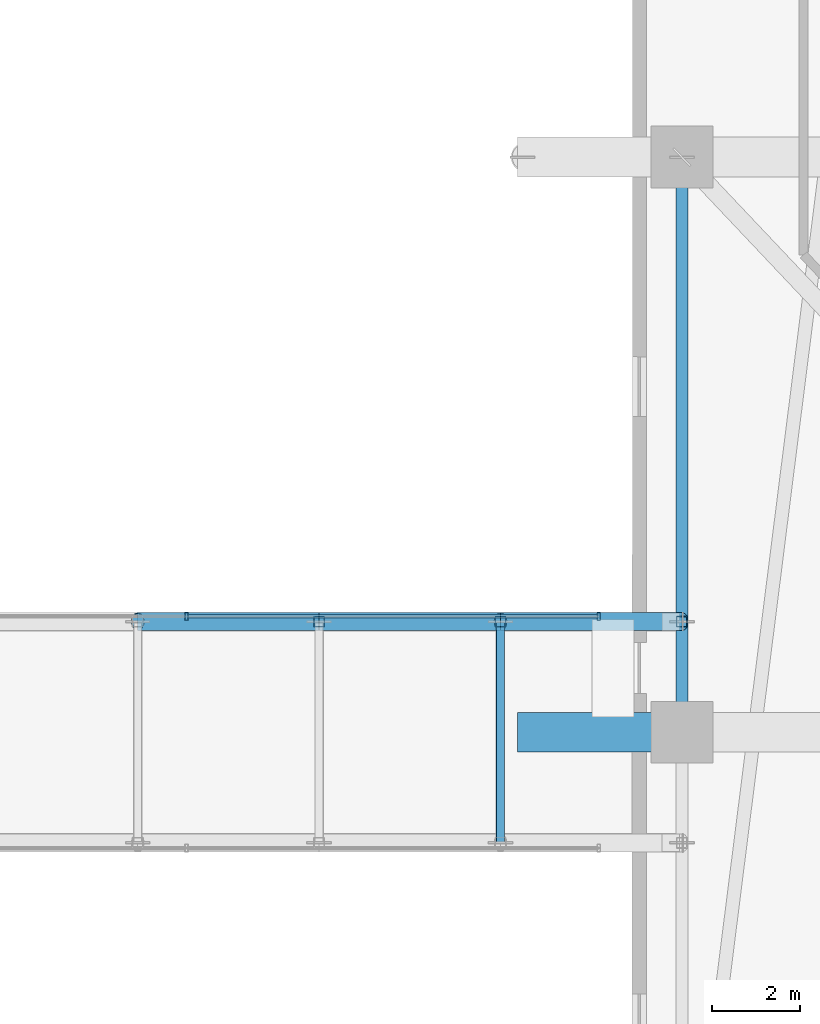
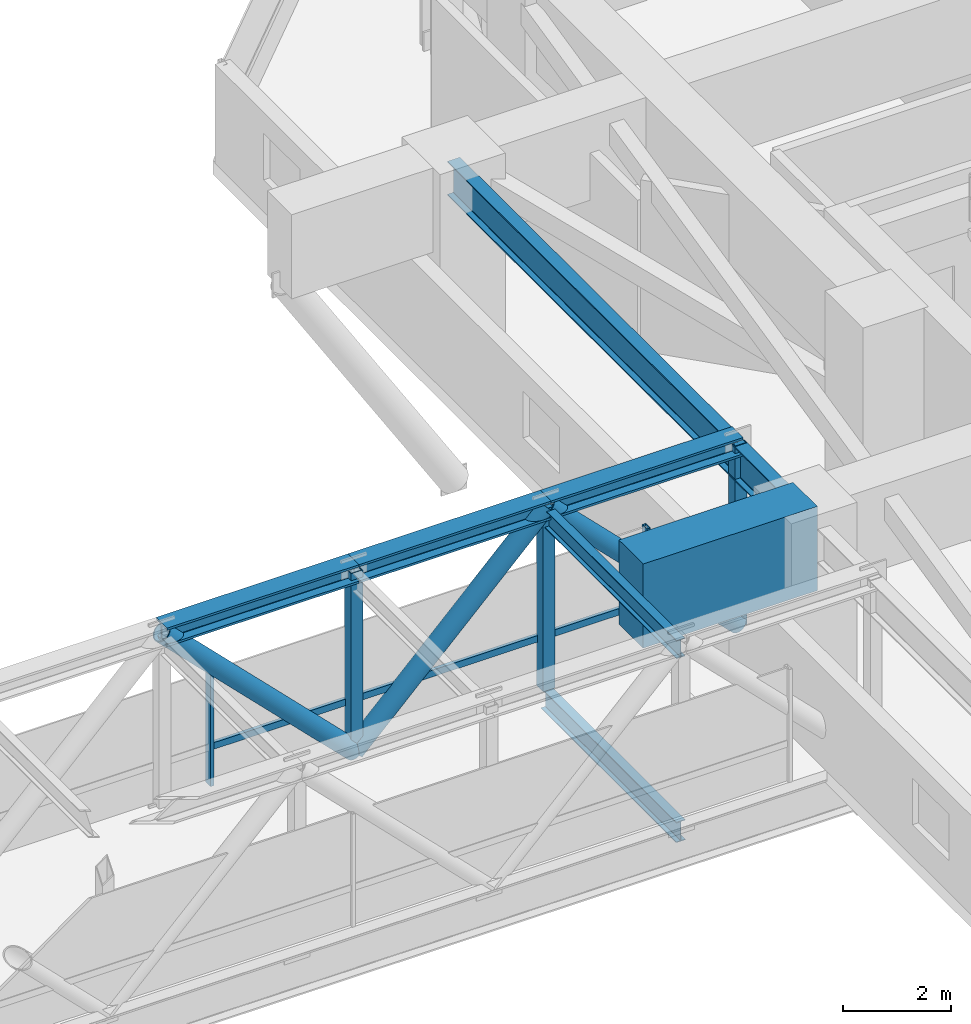
# One storey, part 12 of 38: 12 members, 4 beams, 1 element without a shape of its own.
"""IFC4 building model written with IfcOpenShell, lengths in metres."""

from ifc_helpers import new_model, si_unit, direction, frame, origin, origin_2d, place, context, subcontext, project, spatial, rectangle, hollow_rectangle, hollow_circle, i_section, extrude, material, material_profile, profile_set, type_object, element, aggregate, save


model = new_model("IFC4")

# Units and contexts
model_context = context("Model", 3, precision=1e-05, world=origin(), true_north=direction((0.0, 1.0)))
body_context = subcontext(model_context, "Body", "Model", "MODEL_VIEW")
ifc_project = project(units=[si_unit("LENGTHUNIT", "METRE"), si_unit("AREAUNIT", "SQUARE_METRE"), si_unit("VOLUMEUNIT", "CUBIC_METRE"), si_unit("PLANEANGLEUNIT", "RADIAN"), si_unit("MASSUNIT", "GRAM", prefix="KILO")], contexts=[model_context])

# Site, building, storey
site_placement = place(None, origin())
site = spatial("IfcSite", under=ifc_project, at=site_placement, CompositionType="ELEMENT")
building_placement = place(site_placement, origin())
building = spatial("IfcBuilding", under=site, at=building_placement, Name="Thornwick Lancets Civic Towers", CompositionType="ELEMENT")
storey_placement = place(building_placement, frame((0.0, 0.0, 71.699951171875)))
storey = spatial("IfcBuildingStorey", under=building, at=storey_placement, Name="L18", CompositionType="ELEMENT", Elevation=71.699951171875)

# Beams
ifc_material_1 = material(Name="Steel S355JR", Category="steel")
ifc_material_profile_1 = material_profile(ifc_material_1, i_section(OverallWidth=0.26806640625, OverallDepth=0.769775390625, WebThickness=0.015625, FlangeThickness=0.025390625, FilletRadius=0.0166015625, at=origin_2d()), Name="UKB 762x267x197")
ifc_profile_set_1 = profile_set([ifc_material_profile_1], Name="Steel S355JR")
beam_type_1 = type_object("IfcBeamType", Name="BM_GIRD_762_197", PredefinedType="BEAM", material=ifc_profile_set_1)
beam_1_placement = place(storey_placement, frame((71.199951171875, 27.080078125, 3.4951171875), z_axis=(0.0, 1.0, 0.0), x_axis=(-1.0, 0.0, 0.0)))
element("IfcBeam", 1, at=beam_1_placement, inside=storey, type_object=beam_type_1, Name="BM-SPINE-L18-B-7-8", PredefinedType="BEAM", context=body_context, shape_type="SweptSolid", body=[
    extrude(i_section(OverallWidth=0.26806640625, OverallDepth=0.769775390625, WebThickness=0.015625, FlangeThickness=0.025390625, FilletRadius=0.0166015625, at=origin_2d()), origin(), (0.0, 0.0, 1.0), 12.919921875),
])
ifc_material_profile_2 = material_profile(ifc_material_1, i_section(OverallWidth=0.179443359375, OverallDepth=0.412841796875, WebThickness=0.009521484375, FlangeThickness=0.01611328125, FilletRadius=0.01025390625, at=origin_2d()), Name="UKB 406x178x74")
ifc_profile_set_2 = profile_set([ifc_material_profile_2], Name="Steel S355JR")
beam_type_2 = type_object("IfcBeamType", Name="BM_JOIST_406_74", PredefinedType="JOIST", material=ifc_profile_set_2)
beam_2_placement = place(storey_placement, frame((67.10009765625, 24.5, 3.673583984375), z_axis=(0.0, 1.0, 0.0), x_axis=(-1.0, 0.0, 0.0)))
element("IfcBeam", 2, at=beam_2_placement, inside=storey, type_object=beam_type_2, Name="BM-L18-SB-RBM-5", PredefinedType="JOIST", context=body_context, shape_type="SweptSolid", body=[
    extrude(i_section(OverallWidth=0.179443359375, OverallDepth=0.412841796875, WebThickness=0.009521484375, FlangeThickness=0.01611328125, FilletRadius=0.01025390625, at=origin_2d()), origin(), (0.0, 0.0, 1.0), 5.0),
])
ifc_material_profile_3 = material_profile(ifc_material_1, i_section(OverallWidth=0.19189453125, OverallDepth=0.46337890625, WebThickness=0.010498046875, FlangeThickness=0.017578125, FilletRadius=0.01025390625, at=origin_2d()), Name="UKB 457x191x89")
ifc_profile_set_3 = profile_set([ifc_material_profile_3], Name="Steel S355JR")
beam_type_3 = type_object("IfcBeamType", Name="BM_JOIST_457_89", PredefinedType="JOIST", material=ifc_profile_set_3)
beam_3_placement = place(storey_placement, frame((67.10009765625, 24.5, -0.45166015625), z_axis=(0.0, 1.0, 0.0), x_axis=(-1.0, 0.0, 0.0)))
element("IfcBeam", 3, at=beam_3_placement, inside=storey, type_object=beam_type_3, Name="BM-L18-SB-XBM-5", PredefinedType="JOIST", context=body_context, shape_type="SweptSolid", body=[
    extrude(i_section(OverallWidth=0.19189453125, OverallDepth=0.46337890625, WebThickness=0.010498046875, FlangeThickness=0.017578125, FilletRadius=0.01025390625, at=origin_2d()), origin(), (0.0, 0.0, 1.0), 5.0),
])
ifc_material_2 = material(Name="Concrete C60/75", Category="concrete")
ifc_material_profile_4 = material_profile(ifc_material_2, rectangle(XDim=0.89990234375, YDim=1.89990234375, at=origin_2d()), Name="RC 900x1900")
ifc_profile_set_4 = profile_set([ifc_material_profile_4], Name="Concrete C60/75")
beam_type_4 = type_object("IfcBeamType", Name="BM_TR_RC1900", PredefinedType="BEAM", material=ifc_profile_set_4)
beam_4_placement = place(storey_placement, frame((71.199951171875, 27.0, 3.25), z_axis=(-1.0, 0.0, 0.0), x_axis=(0.0, -1.0, 0.0)))
element("IfcBeam", 4, at=beam_4_placement, inside=storey, type_object=beam_type_4, Name="TG-CANT-L19-B08", PredefinedType="BEAM", context=body_context, shape_type="SweptSolid", body=[
    extrude(rectangle(XDim=0.89990234375, YDim=1.89990234375, at=origin_2d()), origin(), (0.0, 0.0, 1.0), 3.719970703125),
])

# Curtain wall, members
ifc_material_3 = material(Name="Skybridge acoustic laminated-glass curtain wall", Category="glass")
curtain_wall_type = type_object("IfcCurtainWallType", Name="CW_SYS_06", PredefinedType="NOTDEFINED", material=ifc_material_3)
curtain_wall_placement = place(storey_placement, origin())
curtain_wall = element("IfcCurtainWall", 5, at=curtain_wall_placement, inside=storey, type_object=curtain_wall_type, Name="L18 Curtain Wall CW-L18-SKYBRIDGE-N", PredefinedType="NOTDEFINED")
ifc_material_4 = material(Name="Thermally broken bronze aluminium S355", Category="steel")
ifc_material_profile_5 = material_profile(ifc_material_4, hollow_rectangle(XDim=0.074951171875, YDim=0.179931640625, WallThickness=0.006103515625, at=origin_2d()), Name="RHS 180x75x6")
ifc_profile_set_5 = profile_set([ifc_material_profile_5], Name="Thermally broken bronze aluminium S355")
member_type_1 = type_object("IfcMemberType", Name="CW_MUL_180", PredefinedType="MULLION", material=ifc_profile_set_5)
member_1_placement = place(storey_placement, frame((69.320068359375, 29.6201171875, 0.0), z_axis=(0.0, 0.0, 1.0), x_axis=(1.0, 0.0, 0.0)))
member_1 = element("IfcMember", 6, at=member_1_placement, type_object=member_type_1, Name="CW-L18-SKYBRIDGE-N Mullion 0", PredefinedType="MULLION", context=body_context, shape_type="SweptSolid", body=[
    extrude(hollow_rectangle(XDim=0.074951171875, YDim=0.179931640625, WallThickness=0.006103515625, at=origin_2d()), origin(), (0.0, 0.0, 1.0), 2.550048828125),
])
member_2_placement = place(storey_placement, frame((60.0, 29.6201171875, 0.0), z_axis=(0.0, 0.0, 1.0), x_axis=(1.0, 0.0, 0.0)))
member_2 = element("IfcMember", 7, at=member_2_placement, type_object=member_type_1, Name="CW-L18-SKYBRIDGE-N Mullion 1", PredefinedType="MULLION", context=body_context, shape_type="SweptSolid", body=[
    extrude(hollow_rectangle(XDim=0.074951171875, YDim=0.179931640625, WallThickness=0.006103515625, at=origin_2d()), origin(), (0.0, 0.0, 1.0), 2.550048828125),
])
ifc_material_profile_6 = material_profile(ifc_material_4, hollow_rectangle(XDim=0.074951171875, YDim=0.14990234375, WallThickness=0.0048828125, at=origin_2d()), Name="RHS 150x75x5")
ifc_profile_set_6 = profile_set([ifc_material_profile_6], Name="Thermally broken bronze aluminium S355")
member_type_2 = type_object("IfcMemberType", Name="CW_TRN_150", PredefinedType="USERDEFINED", material=ifc_profile_set_6)
member_3_placement = place(storey_placement, frame((69.300048828125, 29.6201171875, 0.85009765625), z_axis=(-1.0, 0.0, 0.0), x_axis=(0.0, -1.0, 0.0)))
member_3 = element("IfcMember", 8, at=member_3_placement, type_object=member_type_2, Name="CW-L18-SKYBRIDGE-N Transom 0", ObjectType="TRANSOM", PredefinedType="USERDEFINED", context=body_context, shape_type="SweptSolid", body=[
    extrude(hollow_rectangle(XDim=0.074951171875, YDim=0.14990234375, WallThickness=0.0048828125, at=origin_2d()), origin(), (0.0, 0.0, 1.0), 9.280029296875),
])
aggregate(curtain_wall, [member_1, member_2, member_3])

# Members
ifc_material_5 = material(Name="Steel S460M", Category="steel")
ifc_material_profile_7 = material_profile(ifc_material_5, i_section(OverallWidth=0.406982421875, OverallDepth=0.4189453125, WebThickness=0.030517578125, FlangeThickness=0.04931640625, FilletRadius=0.01513671875, at=origin_2d()), Name="UKC 356x406x393")
ifc_profile_set_7 = profile_set([ifc_material_profile_7], Name="Steel S460M")
member_type_3 = type_object("IfcMemberType", Name="MEM_BRG_CHORD_393", PredefinedType="CHORD", material=ifc_profile_set_7)
for number, where, z_axis, x_axis, name in (
    (9, (58.89990234375, 29.5, 3.880126953125), (1.0, 0.0, 0.0), (0.0, 1.0, 0.0), "L18 Skybridge Top Chord 2-3"),
    (10, (63.0, 29.5, 3.880126953125), (1.0, 0.0, 0.0), (0.0, 1.0, 0.0), "L18 Skybridge Top Chord 2-4"),
):
    element("IfcMember", number, at=place(storey_placement, frame(where, z_axis=z_axis, x_axis=x_axis)), inside=storey, type_object=member_type_3, Name=name, PredefinedType="CHORD", context=body_context, shape_type="SweptSolid", body=[
        extrude(i_section(OverallWidth=0.406982421875, OverallDepth=0.4189453125, WebThickness=0.030517578125, FlangeThickness=0.04931640625, FilletRadius=0.01513671875, at=origin_2d()), origin(), (0.0, 0.0, 1.0), 4.10009765625),
    ])
member_4_placement = place(storey_placement, frame((67.10009765625, 29.5, 3.880126953125), z_axis=(1.0, 0.0, 0.0), x_axis=(0.0, 1.0, 0.0)))
element("IfcMember", 11, at=member_4_placement, inside=storey, type_object=member_type_3, Name="L18 Skybridge Top Chord 2-5", PredefinedType="CHORD", context=body_context, shape_type="SweptSolid", body=[
    extrude(i_section(OverallWidth=0.406982421875, OverallDepth=0.4189453125, WebThickness=0.030517578125, FlangeThickness=0.04931640625, FilletRadius=0.01513671875, at=origin_2d()), origin(), (0.0, 0.0, 1.0), 4.099853515625),
])
ifc_material_profile_8 = material_profile(ifc_material_5, hollow_circle(Radius=0.203125, WallThickness=0.02001953125, at=origin_2d()), Name="CHS 406.4x20")
ifc_profile_set_8 = profile_set([ifc_material_profile_8], Name="Steel S460M")
member_type_4 = type_object("IfcMemberType", Name="MEM_BRG_WEB_CHS406", PredefinedType="BRACE", material=ifc_profile_set_8)
for number, where, z_axis, x_axis, name in (
    (12, (58.89990234375, 29.5, 3.880126953125), (0.707106781187, 0.0, -0.707106781187), (0.0, 1.0, 0.0), "L18 Skybridge Truss Diagonal 2-3"),
    (13, (63.0, 29.5, -0.219970703125), (0.707106781187, 0.0, 0.707106781187), (0.0, 1.0, 0.0), "L18 Skybridge Truss Diagonal 2-4"),
    (14, (67.10009765625, 29.5, 3.880126953125), (0.707085727883, 0.0, -0.707127833863), (0.0, 1.0, 0.0), "L18 Skybridge Truss Diagonal 2-5"),
):
    element("IfcMember", number, at=place(storey_placement, frame(where, z_axis=z_axis, x_axis=x_axis)), inside=storey, type_object=member_type_4, Name=name, PredefinedType="BRACE", context=body_context, shape_type="SweptSolid", body=[
        extrude(hollow_circle(Radius=0.203125, WallThickness=0.02001953125, at=origin_2d()), origin(), (0.0, 0.0, 1.0), 5.79833984375),
    ])
ifc_material_profile_9 = material_profile(ifc_material_5, hollow_rectangle(XDim=0.25, YDim=0.25, WallThickness=0.01611328125, at=origin_2d()), Name="SHS 250x250x16")
ifc_profile_set_9 = profile_set([ifc_material_profile_9], Name="Steel S460M")
member_type_5 = type_object("IfcMemberType", Name="MEM_BRG_WEB_SHS250", PredefinedType="BRACE", material=ifc_profile_set_9)
for number, where, z_axis, x_axis, name in (
    (15, (63.0, 29.5, -0.219970703125), (0.0, 0.0, 1.0), (1.0, 0.0, 0.0), "L18 Skybridge Truss Post 2-4"),
    (16, (67.10009765625, 29.5, -0.219970703125), (0.0, 0.0, 1.0), (1.0, 0.0, 0.0), "L18 Skybridge Truss Post 2-5"),
    (17, (71.199951171875, 29.5, -0.219970703125), (0.0, 0.0, 1.0), (1.0, 0.0, 0.0), "L18 Skybridge Truss Post 2-6"),
):
    element("IfcMember", number, at=place(storey_placement, frame(where, z_axis=z_axis, x_axis=x_axis)), inside=storey, type_object=member_type_5, Name=name, PredefinedType="BRACE", context=body_context, shape_type="SweptSolid", body=[
        extrude(hollow_rectangle(XDim=0.25, YDim=0.25, WallThickness=0.01611328125, at=origin_2d()), origin(), (0.0, 0.0, 1.0), 4.10009765625),
    ])

save(model, "model.ifc")
